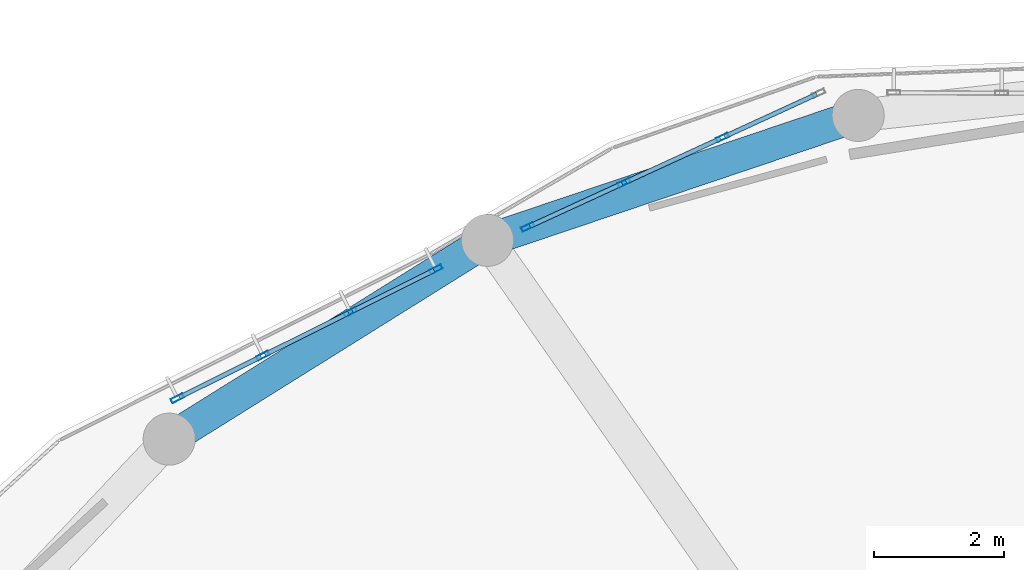
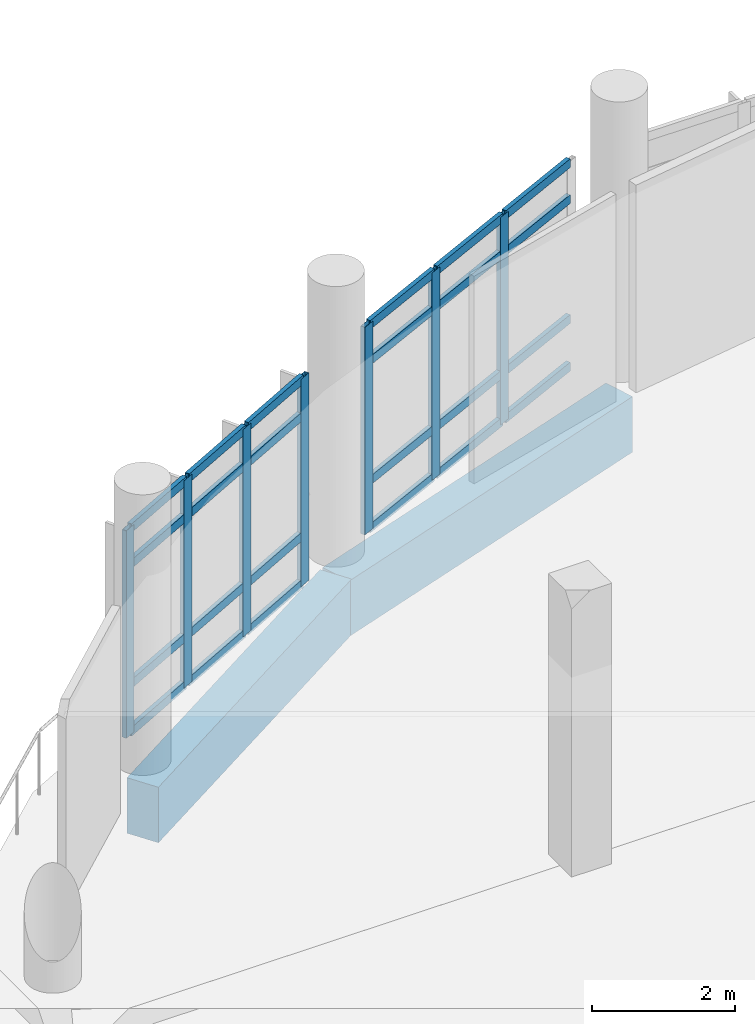
# One storey, part 12 of 63: 31 members, 2 beams, 2 elements without a shape of their own.
"""IFC4 building model written with IfcOpenShell, lengths in metres."""

from ifc_helpers import new_model, si_unit, derived_unit, direction, frame, origin, origin_2d, place, context, subcontext, project, spatial, rectangle, hollow_rectangle, extrude, material, layer, layer_set, material_profile, profile_set, type_object, element, aggregate, save


model = new_model("IFC4")

# Units and contexts
model_context = context("Model", 3, precision=1e-05, world=origin(), true_north=direction((0.0, 1.0)))
body_context = subcontext(model_context, "Body", "Model", "MODEL_VIEW")
ifc_project = project(units=[si_unit("LENGTHUNIT", "METRE"), si_unit("AREAUNIT", "SQUARE_METRE"), si_unit("VOLUMEUNIT", "CUBIC_METRE"), si_unit("PLANEANGLEUNIT", "RADIAN"), si_unit("MASSUNIT", "GRAM", prefix="KILO"), derived_unit("THERMALTRANSMITTANCEUNIT", [(si_unit("POWERUNIT", "WATT"), 1), (si_unit("LENGTHUNIT", "METRE"), -2), (si_unit("THERMODYNAMICTEMPERATUREUNIT", "KELVIN"), -1)])], contexts=[model_context])

# Site, building, storey
site_placement = place(None, origin())
site = spatial("IfcSite", under=ifc_project, at=site_placement, CompositionType="ELEMENT")
building_placement = place(site_placement, origin())
building = spatial("IfcBuilding", under=site, at=building_placement, Name="Elbkamm Science Centre", CompositionType="ELEMENT")
storey_placement = place(building_placement, frame((0.0, 0.0, 5.10009765625)))
storey = spatial("IfcBuildingStorey", under=building, at=storey_placement, Name="L01", CompositionType="ELEMENT", Elevation=5.10009765625)

# Beams
ifc_material_1 = material(Name="Concrete C40/50", Category="concrete")
ifc_material_profile_1 = material_profile(ifc_material_1, rectangle(XDim=0.5, YDim=0.949951171875, at=origin_2d()), Name="RC 500x950")
ifc_profile_set_1 = profile_set([ifc_material_profile_1], Name="Concrete C40/50")
beam_type = type_object("IfcBeamType", Name="BM-RC-500x950", PredefinedType="BEAM", material=ifc_profile_set_1)
beam_1_placement = place(storey_placement, frame((56.89208984375, 85.74609375, -0.875), z_axis=(-0.947637651085, -0.319347588444, 0.0), x_axis=(0.319347588444, -0.947637651085, 0.0)))
element("IfcBeam", 1, at=beam_1_placement, inside=storey, type_object=beam_type, Name="L01 Elliptical Shell Perimeter Ring Beam 08", PredefinedType="SPANDREL", context=body_context, shape_type="SweptSolid", body=[
    extrude(rectangle(XDim=0.5, YDim=0.949951171875, at=origin_2d()), origin(), (0.0, 0.0, 1.0), 6.006591796875),
])
beam_2_placement = place(storey_placement, frame((51.199951171875, 83.827880859375, -0.875), z_axis=(-0.848229099729, -0.529629487824, 0.0), x_axis=(0.529629487824, -0.848229099729, 0.0)))
element("IfcBeam", 2, at=beam_2_placement, inside=storey, type_object=beam_type, Name="L01 Elliptical Shell Perimeter Ring Beam 09", PredefinedType="SPANDREL", context=body_context, shape_type="SweptSolid", body=[
    extrude(rectangle(XDim=0.5, YDim=0.949951171875, at=origin_2d()), origin(), (0.0, 0.0, 1.0), 5.762451171875),
])

# Curtain wall, members
ifc_material_2 = material(Name="Powder-coated aluminium and triple low-E glazing", Category="aluminium")
ifc_layer_1 = layer(ifc_material_2, 0.159912109375)
ifc_layer_set_1 = layer_set([ifc_layer_1], Name="Powder-coated aluminium and triple low-E glazing")
curtain_wall_type_1 = type_object("IfcCurtainWallType", Name="CW-UNIT-4980x3560", PredefinedType="USERDEFINED", material=ifc_layer_set_1)
curtain_wall_1_placement = place(storey_placement, origin())
curtain_wall_1 = element("IfcCurtainWall", 3, at=curtain_wall_1_placement, inside=storey, type_object=curtain_wall_type_1, Name="L01 Unitised Curtain Wall 010", ObjectType="UNITISED CURTAIN WALL", PredefinedType="USERDEFINED")
ifc_material_3 = material(Name="Powder-coated aluminium EN AW-6060", Category="aluminium")
ifc_material_profile_2 = material_profile(ifc_material_3, hollow_rectangle(XDim=0.070068359375, YDim=0.199951171875, WallThickness=0.00439453125, at=origin_2d()), Name="ALU M70x200")
ifc_profile_set_2 = profile_set([ifc_material_profile_2], Name="Powder-coated aluminium EN AW-6060")
member_type_1 = type_object("IfcMemberType", Name="CW-MUL-70x200", PredefinedType="MULLION", material=ifc_profile_set_2)
member_1_placement = place(storey_placement, frame((54.807861328125, 85.406494140625, 0.0), z_axis=(0.0, 0.0, 1.0), x_axis=(0.417704670458, -0.908582857134, 0.0)))
member_1 = element("IfcMember", 4, at=member_1_placement, type_object=member_type_1, Name="CW-005 mullion 2", PredefinedType="MULLION", context=body_context, shape_type="SweptSolid", body=[
    extrude(hollow_rectangle(XDim=0.070068359375, YDim=0.199951171875, WallThickness=0.00439453125, at=origin_2d()), origin(), (0.0, 0.0, 1.0), 3.5498046875),
])
member_2_placement = place(storey_placement, frame((53.297607421875, 84.712158203125, 0.0), z_axis=(0.0, 0.0, 1.0), x_axis=(0.417704670458, -0.908582857134, 0.0)))
member_2 = element("IfcMember", 5, at=member_2_placement, type_object=member_type_1, Name="CW-005 mullion 3", PredefinedType="MULLION", context=body_context, shape_type="SweptSolid", body=[
    extrude(hollow_rectangle(XDim=0.070068359375, YDim=0.199951171875, WallThickness=0.00439453125, at=origin_2d()), origin(), (0.0, 0.0, 1.0), 3.5498046875),
])
member_3_placement = place(storey_placement, frame((51.819091796875, 84.032470703125, 0.0), z_axis=(0.0, 0.0, 1.0), x_axis=(0.417704670458, -0.908582857134, 0.0)))
member_3 = element("IfcMember", 6, at=member_3_placement, type_object=member_type_1, Name="CW-005 mullion 4", PredefinedType="MULLION", context=body_context, shape_type="SweptSolid", body=[
    extrude(hollow_rectangle(XDim=0.070068359375, YDim=0.199951171875, WallThickness=0.00439453125, at=origin_2d()), origin(), (0.0, 0.0, 1.0), 3.5498046875),
])

ifc_layer_2 = layer(ifc_material_2, 0.159912109375)
ifc_layer_set_2 = layer_set([ifc_layer_2], Name="Powder-coated aluminium and triple low-E glazing")
curtain_wall_type_2 = type_object("IfcCurtainWallType", Name="CW-UNIT-4500x3560", PredefinedType="USERDEFINED", material=ifc_layer_set_2)
curtain_wall_2_placement = place(storey_placement, origin())
curtain_wall_2 = element("IfcCurtainWall", 7, at=curtain_wall_2_placement, inside=storey, type_object=curtain_wall_type_2, Name="L01 Unitised Curtain Wall 011", ObjectType="UNITISED CURTAIN WALL", PredefinedType="USERDEFINED")
member_4_placement = place(storey_placement, frame((50.408203125, 83.3828125, 0.0), z_axis=(0.0, 0.0, 1.0), x_axis=(0.446441177439, -0.894812983303, 0.0)))
member_4 = element("IfcMember", 8, at=member_4_placement, type_object=member_type_1, Name="CW-004 mullion 1", PredefinedType="MULLION", context=body_context, shape_type="SweptSolid", body=[
    extrude(hollow_rectangle(XDim=0.070068359375, YDim=0.199951171875, WallThickness=0.00439453125, at=origin_2d()), origin(), (0.0, 0.0, 1.0), 3.5498046875),
])
member_5_placement = place(storey_placement, frame((49.095458984375, 82.727783203125, 0.0), z_axis=(0.0, 0.0, 1.0), x_axis=(0.446441177439, -0.894812983303, 0.0)))
member_5 = element("IfcMember", 9, at=member_5_placement, type_object=member_type_1, Name="CW-004 mullion 2", PredefinedType="MULLION", context=body_context, shape_type="SweptSolid", body=[
    extrude(hollow_rectangle(XDim=0.070068359375, YDim=0.199951171875, WallThickness=0.00439453125, at=origin_2d()), origin(), (0.0, 0.0, 1.0), 3.5498046875),
])
member_6_placement = place(storey_placement, frame((47.751220703125, 82.05712890625, 0.0), z_axis=(0.0, 0.0, 1.0), x_axis=(0.446441177439, -0.894812983303, 0.0)))
member_6 = element("IfcMember", 10, at=member_6_placement, type_object=member_type_1, Name="CW-004 mullion 3", PredefinedType="MULLION", context=body_context, shape_type="SweptSolid", body=[
    extrude(hollow_rectangle(XDim=0.070068359375, YDim=0.199951171875, WallThickness=0.00439453125, at=origin_2d()), origin(), (0.0, 0.0, 1.0), 3.5498046875),
])
member_7_placement = place(storey_placement, frame((46.4384765625, 81.40234375, 0.0), z_axis=(0.0, 0.0, 1.0), x_axis=(0.446441177439, -0.894812983303, 0.0)))
member_7 = element("IfcMember", 11, at=member_7_placement, type_object=member_type_1, Name="CW-004 mullion 4", PredefinedType="MULLION", context=body_context, shape_type="SweptSolid", body=[
    extrude(hollow_rectangle(XDim=0.070068359375, YDim=0.199951171875, WallThickness=0.00439453125, at=origin_2d()), origin(), (0.0, 0.0, 1.0), 3.5498046875),
])

# Member
ifc_material_profile_3 = material_profile(ifc_material_3, hollow_rectangle(XDim=0.070068359375, YDim=0.14990234375, WallThickness=0.00390625, at=origin_2d()), Name="ALU T70x150")
ifc_profile_set_3 = profile_set([ifc_material_profile_3], Name="Powder-coated aluminium EN AW-6060")
member_type_2 = type_object("IfcMemberType", Name="CW-TRN-70x150", PredefinedType="USERDEFINED", material=ifc_profile_set_3)
member_8_placement = place(storey_placement, frame((56.25439453125, 86.07177734375, 0.034912109375), z_axis=(-0.908532114321, -0.417815027552, 0.0), x_axis=(0.417815027552, -0.908532114321, 0.0)))
member_8 = element("IfcMember", 12, at=member_8_placement, type_object=member_type_2, Name="CW-005 transom 1.1", ObjectType="TRANSOM", PredefinedType="USERDEFINED", context=body_context, shape_type="SweptSolid", body=[
    extrude(hollow_rectangle(XDim=0.070068359375, YDim=0.14990234375, WallThickness=0.00390625, at=origin_2d()), origin(), (0.0, 0.0, 1.0), 1.55712890625),
])

member_9_placement = place(storey_placement, frame((56.25439453125, 86.07177734375, 0.849853515625), z_axis=(-0.908532114321, -0.417815027552, 0.0), x_axis=(0.417815027552, -0.908532114321, 0.0)))
member_9 = element("IfcMember", 13, at=member_9_placement, type_object=member_type_2, Name="CW-005 transom 1.2", ObjectType="TRANSOM", PredefinedType="USERDEFINED", context=body_context, shape_type="SweptSolid", body=[
    extrude(hollow_rectangle(XDim=0.070068359375, YDim=0.14990234375, WallThickness=0.00390625, at=origin_2d()), origin(), (0.0, 0.0, 1.0), 1.55712890625),
])

member_10_placement = place(storey_placement, frame((56.25439453125, 86.07177734375, 2.89990234375), z_axis=(-0.908532114321, -0.417815027552, 0.0), x_axis=(0.417815027552, -0.908532114321, 0.0)))
member_10 = element("IfcMember", 14, at=member_10_placement, type_object=member_type_2, Name="CW-005 transom 1.3", ObjectType="TRANSOM", PredefinedType="USERDEFINED", context=body_context, shape_type="SweptSolid", body=[
    extrude(hollow_rectangle(XDim=0.070068359375, YDim=0.14990234375, WallThickness=0.00390625, at=origin_2d()), origin(), (0.0, 0.0, 1.0), 1.55712890625),
])

member_11_placement = place(storey_placement, frame((56.25439453125, 86.07177734375, 3.514892578125), z_axis=(-0.908532114321, -0.417815027552, 0.0), x_axis=(0.417815027552, -0.908532114321, 0.0)))
member_11 = element("IfcMember", 15, at=member_11_placement, type_object=member_type_2, Name="CW-005 transom 1.4", ObjectType="TRANSOM", PredefinedType="USERDEFINED", context=body_context, shape_type="SweptSolid", body=[
    extrude(hollow_rectangle(XDim=0.070068359375, YDim=0.14990234375, WallThickness=0.00390625, at=origin_2d()), origin(), (0.0, 0.0, 1.0), 1.55712890625),
])

member_12_placement = place(storey_placement, frame((54.77587890625, 85.391845703125, 0.034912109375), z_axis=(-0.908577762865, -0.417715751231, 0.0), x_axis=(0.417715751231, -0.908577762865, 0.0)))
member_12 = element("IfcMember", 16, at=member_12_placement, type_object=member_type_2, Name="CW-005 transom 2.1", ObjectType="TRANSOM", PredefinedType="USERDEFINED", context=body_context, shape_type="SweptSolid", body=[
    extrude(hollow_rectangle(XDim=0.070068359375, YDim=0.14990234375, WallThickness=0.00390625, at=origin_2d()), origin(), (0.0, 0.0, 1.0), 1.592041015625),
])

member_13_placement = place(storey_placement, frame((54.77587890625, 85.391845703125, 0.849853515625), z_axis=(-0.908577762865, -0.417715751231, 0.0), x_axis=(0.417715751231, -0.908577762865, 0.0)))
member_13 = element("IfcMember", 17, at=member_13_placement, type_object=member_type_2, Name="CW-005 transom 2.2", ObjectType="TRANSOM", PredefinedType="USERDEFINED", context=body_context, shape_type="SweptSolid", body=[
    extrude(hollow_rectangle(XDim=0.070068359375, YDim=0.14990234375, WallThickness=0.00390625, at=origin_2d()), origin(), (0.0, 0.0, 1.0), 1.592041015625),
])

member_14_placement = place(storey_placement, frame((54.77587890625, 85.391845703125, 2.89990234375), z_axis=(-0.908577762865, -0.417715751231, 0.0), x_axis=(0.417715751231, -0.908577762865, 0.0)))
member_14 = element("IfcMember", 18, at=member_14_placement, type_object=member_type_2, Name="CW-005 transom 2.3", ObjectType="TRANSOM", PredefinedType="USERDEFINED", context=body_context, shape_type="SweptSolid", body=[
    extrude(hollow_rectangle(XDim=0.070068359375, YDim=0.14990234375, WallThickness=0.00390625, at=origin_2d()), origin(), (0.0, 0.0, 1.0), 1.592041015625),
])

member_15_placement = place(storey_placement, frame((54.77587890625, 85.391845703125, 3.514892578125), z_axis=(-0.908577762865, -0.417715751231, 0.0), x_axis=(0.417715751231, -0.908577762865, 0.0)))
member_15 = element("IfcMember", 19, at=member_15_placement, type_object=member_type_2, Name="CW-005 transom 2.4", ObjectType="TRANSOM", PredefinedType="USERDEFINED", context=body_context, shape_type="SweptSolid", body=[
    extrude(hollow_rectangle(XDim=0.070068359375, YDim=0.14990234375, WallThickness=0.00390625, at=origin_2d()), origin(), (0.0, 0.0, 1.0), 1.592041015625),
])

member_16_placement = place(storey_placement, frame((53.265625, 84.697509765625, 0.034912109375), z_axis=(-0.90859162191, -0.417685604964, 0.0), x_axis=(0.417685604964, -0.90859162191, 0.0)))
member_16 = element("IfcMember", 20, at=member_16_placement, type_object=member_type_2, Name="CW-005 transom 3.1", ObjectType="TRANSOM", PredefinedType="USERDEFINED", context=body_context, shape_type="SweptSolid", body=[
    extrude(hollow_rectangle(XDim=0.070068359375, YDim=0.14990234375, WallThickness=0.00390625, at=origin_2d()), origin(), (0.0, 0.0, 1.0), 1.55712890625),
])

member_17_placement = place(storey_placement, frame((53.265625, 84.697509765625, 0.849853515625), z_axis=(-0.90859162191, -0.417685604964, 0.0), x_axis=(0.417685604964, -0.90859162191, 0.0)))
member_17 = element("IfcMember", 21, at=member_17_placement, type_object=member_type_2, Name="CW-005 transom 3.2", ObjectType="TRANSOM", PredefinedType="USERDEFINED", context=body_context, shape_type="SweptSolid", body=[
    extrude(hollow_rectangle(XDim=0.070068359375, YDim=0.14990234375, WallThickness=0.00390625, at=origin_2d()), origin(), (0.0, 0.0, 1.0), 1.55712890625),
])

member_18_placement = place(storey_placement, frame((53.265625, 84.697509765625, 2.89990234375), z_axis=(-0.90859162191, -0.417685604964, 0.0), x_axis=(0.417685604964, -0.90859162191, 0.0)))
member_18 = element("IfcMember", 22, at=member_18_placement, type_object=member_type_2, Name="CW-005 transom 3.3", ObjectType="TRANSOM", PredefinedType="USERDEFINED", context=body_context, shape_type="SweptSolid", body=[
    extrude(hollow_rectangle(XDim=0.070068359375, YDim=0.14990234375, WallThickness=0.00390625, at=origin_2d()), origin(), (0.0, 0.0, 1.0), 1.55712890625),
])

member_19_placement = place(storey_placement, frame((53.265625, 84.697509765625, 3.514892578125), z_axis=(-0.90859162191, -0.417685604964, 0.0), x_axis=(0.417685604964, -0.90859162191, 0.0)))
member_19 = element("IfcMember", 23, at=member_19_placement, type_object=member_type_2, Name="CW-005 transom 3.4", ObjectType="TRANSOM", PredefinedType="USERDEFINED", context=body_context, shape_type="SweptSolid", body=[
    extrude(hollow_rectangle(XDim=0.070068359375, YDim=0.14990234375, WallThickness=0.00390625, at=origin_2d()), origin(), (0.0, 0.0, 1.0), 1.55712890625),
])

aggregate(curtain_wall_1, [member_1, member_2, member_3, member_8, member_9, member_10, member_11, member_12, member_13, member_14, member_15, member_16, member_17, member_18, member_19])

member_20_placement = place(storey_placement, frame((50.376953125, 83.3671875, 0.034912109375), z_axis=(-0.894811274705, -0.446444602006, 0.0), x_axis=(0.446444602006, -0.894811274705, 0.0)))
member_20 = element("IfcMember", 24, at=member_20_placement, type_object=member_type_2, Name="CW-004 transom 1.1", ObjectType="TRANSOM", PredefinedType="USERDEFINED", context=body_context, shape_type="SweptSolid", body=[
    extrude(hollow_rectangle(XDim=0.070068359375, YDim=0.14990234375, WallThickness=0.00390625, at=origin_2d()), origin(), (0.0, 0.0, 1.0), 1.397216796875),
])

member_21_placement = place(storey_placement, frame((50.376953125, 83.3671875, 0.849853515625), z_axis=(-0.894811274705, -0.446444602006, 0.0), x_axis=(0.446444602006, -0.894811274705, 0.0)))
member_21 = element("IfcMember", 25, at=member_21_placement, type_object=member_type_2, Name="CW-004 transom 1.2", ObjectType="TRANSOM", PredefinedType="USERDEFINED", context=body_context, shape_type="SweptSolid", body=[
    extrude(hollow_rectangle(XDim=0.070068359375, YDim=0.14990234375, WallThickness=0.00390625, at=origin_2d()), origin(), (0.0, 0.0, 1.0), 1.397216796875),
])

member_22_placement = place(storey_placement, frame((50.376953125, 83.3671875, 2.89990234375), z_axis=(-0.894811274705, -0.446444602006, 0.0), x_axis=(0.446444602006, -0.894811274705, 0.0)))
member_22 = element("IfcMember", 26, at=member_22_placement, type_object=member_type_2, Name="CW-004 transom 1.3", ObjectType="TRANSOM", PredefinedType="USERDEFINED", context=body_context, shape_type="SweptSolid", body=[
    extrude(hollow_rectangle(XDim=0.070068359375, YDim=0.14990234375, WallThickness=0.00390625, at=origin_2d()), origin(), (0.0, 0.0, 1.0), 1.397216796875),
])

member_23_placement = place(storey_placement, frame((50.376953125, 83.3671875, 3.514892578125), z_axis=(-0.894811274705, -0.446444602006, 0.0), x_axis=(0.446444602006, -0.894811274705, 0.0)))
member_23 = element("IfcMember", 27, at=member_23_placement, type_object=member_type_2, Name="CW-004 transom 1.4", ObjectType="TRANSOM", PredefinedType="USERDEFINED", context=body_context, shape_type="SweptSolid", body=[
    extrude(hollow_rectangle(XDim=0.070068359375, YDim=0.14990234375, WallThickness=0.00390625, at=origin_2d()), origin(), (0.0, 0.0, 1.0), 1.397216796875),
])

member_24_placement = place(storey_placement, frame((49.06396484375, 82.712158203125, 0.034912109375), z_axis=(-0.894767924871, -0.446531477751, 0.0), x_axis=(0.446531477751, -0.894767924871, 0.0)))
member_24 = element("IfcMember", 28, at=member_24_placement, type_object=member_type_2, Name="CW-004 transom 2.1", ObjectType="TRANSOM", PredefinedType="USERDEFINED", context=body_context, shape_type="SweptSolid", body=[
    extrude(hollow_rectangle(XDim=0.070068359375, YDim=0.14990234375, WallThickness=0.00390625, at=origin_2d()), origin(), (0.0, 0.0, 1.0), 1.431884765625),
])

member_25_placement = place(storey_placement, frame((49.06396484375, 82.712158203125, 0.849853515625), z_axis=(-0.894767924871, -0.446531477751, 0.0), x_axis=(0.446531477751, -0.894767924871, 0.0)))
member_25 = element("IfcMember", 29, at=member_25_placement, type_object=member_type_2, Name="CW-004 transom 2.2", ObjectType="TRANSOM", PredefinedType="USERDEFINED", context=body_context, shape_type="SweptSolid", body=[
    extrude(hollow_rectangle(XDim=0.070068359375, YDim=0.14990234375, WallThickness=0.00390625, at=origin_2d()), origin(), (0.0, 0.0, 1.0), 1.431884765625),
])

member_26_placement = place(storey_placement, frame((49.06396484375, 82.712158203125, 2.89990234375), z_axis=(-0.894767924871, -0.446531477751, 0.0), x_axis=(0.446531477751, -0.894767924871, 0.0)))
member_26 = element("IfcMember", 30, at=member_26_placement, type_object=member_type_2, Name="CW-004 transom 2.3", ObjectType="TRANSOM", PredefinedType="USERDEFINED", context=body_context, shape_type="SweptSolid", body=[
    extrude(hollow_rectangle(XDim=0.070068359375, YDim=0.14990234375, WallThickness=0.00390625, at=origin_2d()), origin(), (0.0, 0.0, 1.0), 1.431884765625),
])

member_27_placement = place(storey_placement, frame((49.06396484375, 82.712158203125, 3.514892578125), z_axis=(-0.894767924871, -0.446531477751, 0.0), x_axis=(0.446531477751, -0.894767924871, 0.0)))
member_27 = element("IfcMember", 31, at=member_27_placement, type_object=member_type_2, Name="CW-004 transom 2.4", ObjectType="TRANSOM", PredefinedType="USERDEFINED", context=body_context, shape_type="SweptSolid", body=[
    extrude(hollow_rectangle(XDim=0.070068359375, YDim=0.14990234375, WallThickness=0.00390625, at=origin_2d()), origin(), (0.0, 0.0, 1.0), 1.431884765625),
])

member_28_placement = place(storey_placement, frame((47.719970703125, 82.04150390625, 0.034912109375), z_axis=(-0.894881072469, -0.446304678595, 0.0), x_axis=(0.446304678595, -0.894881072469, 0.0)))
member_28 = element("IfcMember", 32, at=member_28_placement, type_object=member_type_2, Name="CW-004 transom 3.1", ObjectType="TRANSOM", PredefinedType="USERDEFINED", context=body_context, shape_type="SweptSolid", body=[
    extrude(hollow_rectangle(XDim=0.070068359375, YDim=0.14990234375, WallThickness=0.00390625, at=origin_2d()), origin(), (0.0, 0.0, 1.0), 1.397216796875),
])

member_29_placement = place(storey_placement, frame((47.719970703125, 82.04150390625, 0.849853515625), z_axis=(-0.894881072469, -0.446304678595, 0.0), x_axis=(0.446304678595, -0.894881072469, 0.0)))
member_29 = element("IfcMember", 33, at=member_29_placement, type_object=member_type_2, Name="CW-004 transom 3.2", ObjectType="TRANSOM", PredefinedType="USERDEFINED", context=body_context, shape_type="SweptSolid", body=[
    extrude(hollow_rectangle(XDim=0.070068359375, YDim=0.14990234375, WallThickness=0.00390625, at=origin_2d()), origin(), (0.0, 0.0, 1.0), 1.397216796875),
])

member_30_placement = place(storey_placement, frame((47.719970703125, 82.04150390625, 2.89990234375), z_axis=(-0.894881072469, -0.446304678595, 0.0), x_axis=(0.446304678595, -0.894881072469, 0.0)))
member_30 = element("IfcMember", 34, at=member_30_placement, type_object=member_type_2, Name="CW-004 transom 3.3", ObjectType="TRANSOM", PredefinedType="USERDEFINED", context=body_context, shape_type="SweptSolid", body=[
    extrude(hollow_rectangle(XDim=0.070068359375, YDim=0.14990234375, WallThickness=0.00390625, at=origin_2d()), origin(), (0.0, 0.0, 1.0), 1.397216796875),
])

member_31_placement = place(storey_placement, frame((47.719970703125, 82.04150390625, 3.514892578125), z_axis=(-0.894881072469, -0.446304678595, 0.0), x_axis=(0.446304678595, -0.894881072469, 0.0)))
member_31 = element("IfcMember", 35, at=member_31_placement, type_object=member_type_2, Name="CW-004 transom 3.4", ObjectType="TRANSOM", PredefinedType="USERDEFINED", context=body_context, shape_type="SweptSolid", body=[
    extrude(hollow_rectangle(XDim=0.070068359375, YDim=0.14990234375, WallThickness=0.00390625, at=origin_2d()), origin(), (0.0, 0.0, 1.0), 1.397216796875),
])

aggregate(curtain_wall_2, [member_4, member_5, member_6, member_7, member_20, member_21, member_22, member_23, member_24, member_25, member_26, member_27, member_28, member_29, member_30, member_31])

save(model, "model.ifc")
